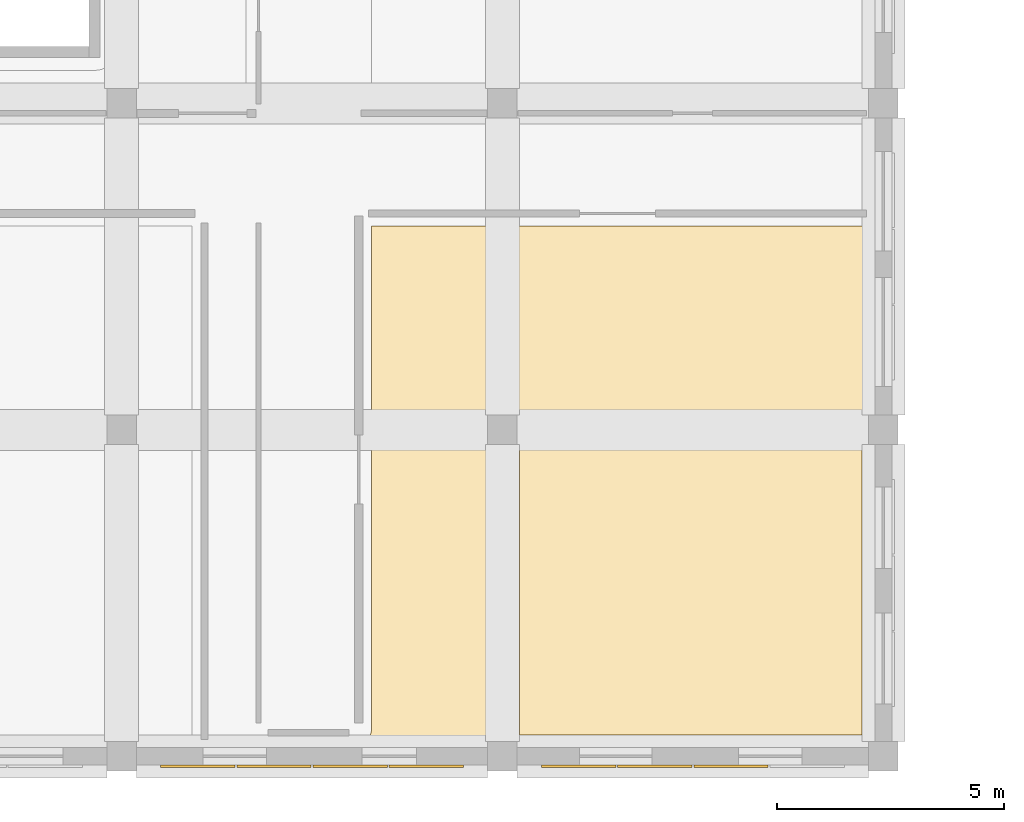
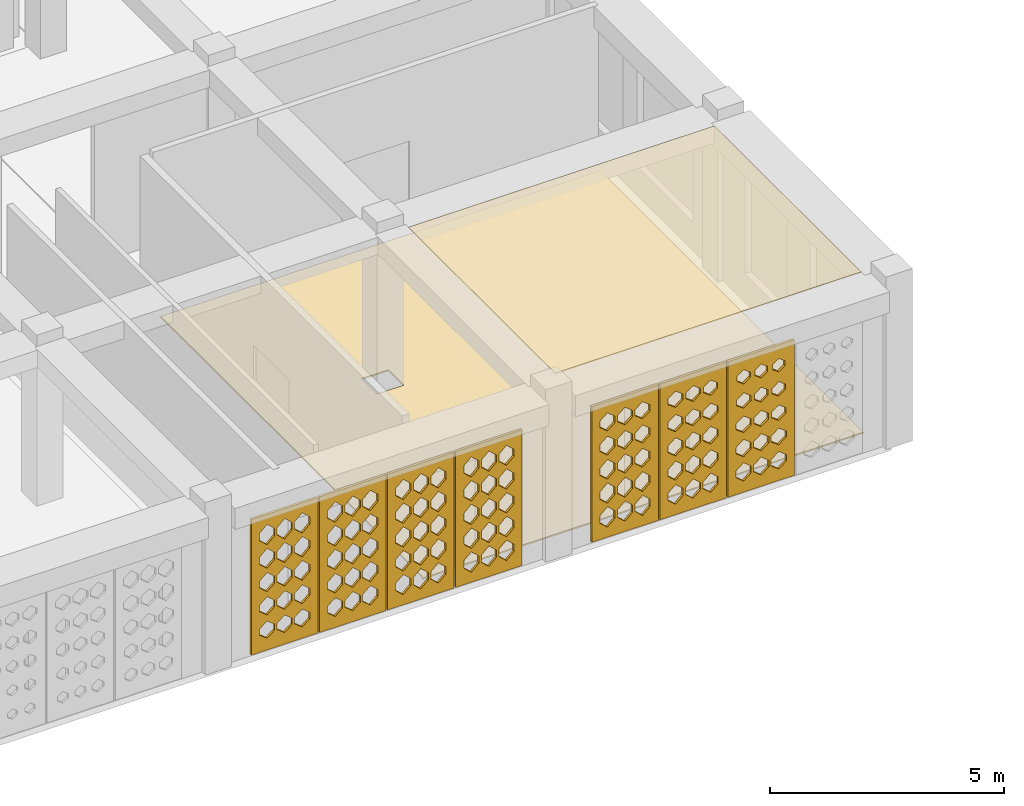
# One storey, part 22 of 47: 9 coverings.
"""IFC4 building model written with IfcOpenShell, lengths in metres."""

from ifc_helpers import new_model, si_unit, derived_unit, direction, frame, origin, place, context, subcontext, project, spatial, polyline, outline, extrude, material, layer, layer_set, type_object, element, save


model = new_model("IFC4")

# Units and contexts
model_context = context("Model", 3, precision=1e-05, world=origin(), true_north=direction((0.0, 1.0)))
body_context = subcontext(model_context, "Body", "Model", "MODEL_VIEW")
ifc_project = project(units=[si_unit("LENGTHUNIT", "METRE"), si_unit("AREAUNIT", "SQUARE_METRE"), si_unit("VOLUMEUNIT", "CUBIC_METRE"), si_unit("PLANEANGLEUNIT", "RADIAN"), si_unit("MASSUNIT", "GRAM", prefix="KILO"), derived_unit("THERMALTRANSMITTANCEUNIT", [(si_unit("POWERUNIT", "WATT"), 1), (si_unit("LENGTHUNIT", "METRE"), -2), (si_unit("THERMODYNAMICTEMPERATUREUNIT", "KELVIN"), -1)])], contexts=[model_context])

# Site, building, storey
site_placement = place(None, origin())
site = spatial("IfcSite", under=ifc_project, at=site_placement, CompositionType="ELEMENT")
building_placement = place(site_placement, origin())
building = spatial("IfcBuilding", under=site, at=building_placement, Name="Veybourne Emporium", CompositionType="ELEMENT")
storey_placement = place(building_placement, frame((0.0, 0.0, 23.39990234375)))
storey = spatial("IfcBuildingStorey", under=building, at=storey_placement, Name="L05", CompositionType="ELEMENT", Elevation=23.39990234375)

# Coverings
ifc_material_1 = material(Name="Mineral Acoustic Ceiling", Category="gypsum")
ifc_layer_1 = layer(ifc_material_1, 0.02490234375)
ifc_layer_set_1 = layer_set([ifc_layer_1], Name="Mineral Acoustic Ceiling")
covering_type_1 = type_object("IfcCoveringType", Name="Ceiling_CLG-01", PredefinedType="CEILING", material=ifc_layer_set_1)
covering_1_placement = place(storey_placement, frame((0.0, 0.0, 4.18505859375)))
element("IfcCovering", 1, at=covering_1_placement, inside=storey, type_object=covering_type_1, Name="L05 coffered acoustic ceiling 02", PredefinedType="CEILING", context=body_context, shape_type="SweptSolid", body=[
    extrude(outline(polyline([(42.373046875, 6.751953125), (49.927001953125, 6.751953125), (49.927001953125, 0.472900390625), (42.373046875, 0.472900390625), (42.373046875, 6.751953125)])), origin(), (0.0, 0.0, 1.0), 0.025146484375),
])
ifc_material_2 = material(Name="European Oak Parquet", Category="wood")
ifc_layer_2 = layer(ifc_material_2, 0.034912109375)
ifc_layer_set_2 = layer_set([ifc_layer_2], Name="European Oak Parquet")
covering_type_2 = type_object("IfcCoveringType", Name="Flooring_FLR-02", PredefinedType="FLOORING", material=ifc_layer_set_2)
covering_2_placement = place(storey_placement, origin())
element("IfcCovering", 2, at=covering_2_placement, inside=storey, type_object=covering_type_2, Name="L05 floor finish 02", PredefinedType="FLOORING", context=body_context, shape_type="SweptSolid", body=[
    extrude(outline(polyline([(39.07861328125, 0.453369140625), (39.086181640625, 0.471435546875), (39.09130859375, 0.486083984375), (39.09716796875, 0.5048828125), (39.100830078125, 0.520263671875), (39.104736328125, 0.53955078125), (39.107177734375, 0.554931640625), (39.10888671875, 0.574462890625), (39.10986328125, 0.590087890625), (39.110107421875, 0.60009765625), (39.110107421875, 11.68994140625), (49.9599609375, 11.68994140625), (49.9599609375, 0.43994140625), (39.072265625, 0.43994140625), (39.07861328125, 0.453369140625)]), holes=[polyline([(41.669921875, 7.530029296875), (41.669921875, 6.8701171875), (42.330078125, 6.8701171875), (42.330078125, 7.530029296875), (41.669921875, 7.530029296875)])]), origin(), (0.0, 0.0, 1.0), 0.03515625),
])
ifc_material_3 = material(Name="Warm-White Perforated Aluminium Screen Alloy", Category="aluminium")
ifc_layer_3 = layer(ifc_material_3, 0.06005859375)
ifc_layer_set_3 = layer_set([ifc_layer_3], Name="Warm-White Perforated Aluminium Screen Alloy")
covering_type_3 = type_object("IfcCoveringType", Name="WaveScreen_SCR-01", PredefinedType="CLADDING", material=ifc_layer_set_3)
covering_3_placement = place(storey_placement, frame((36.9599609375, -0.248046875, 1.830078125), z_axis=(0.0, 1.0, 0.0), x_axis=(-1.0, 0.0, 0.0)))
element("IfcCovering", 3, at=covering_3_placement, inside=storey, type_object=covering_type_3, Name="L05 wave-perforated aluminium screen SCR-01 (20.3)", PredefinedType="CLADDING", context=body_context, shape_type="SweptSolid", body=[
    extrude(outline(polyline([(-0.81982421875, -1.77001953125), (0.81982421875, -1.77001953125), (0.81982421875, 1.77001953125), (-0.81982421875, 1.77001953125), (-0.81982421875, -1.77001953125)]), holes=[polyline([(-0.433349609375, -0.98583984375), (-0.2470703125, -1.1484375), (-0.2470703125, -1.33154296875), (-0.433349609375, -1.494140625), (-0.61962890625, -1.33154296875), (-0.61962890625, -1.1484375), (-0.433349609375, -0.98583984375)]), polyline([(-0.433349609375, -0.357421875), (-0.2470703125, -0.525390625), (-0.2470703125, -0.714599609375), (-0.433349609375, -0.882568359375), (-0.61962890625, -0.714599609375), (-0.61962890625, -0.525390625), (-0.433349609375, -0.357421875)]), polyline([(-0.433349609375, 0.2666015625), (-0.2470703125, 0.095947265625), (-0.2470703125, -0.095947265625), (-0.433349609375, -0.2666015625), (-0.61962890625, -0.095947265625), (-0.61962890625, 0.095947265625), (-0.433349609375, 0.2666015625)]), polyline([(-0.433349609375, 0.88671875), (-0.2470703125, 0.716064453125), (-0.2470703125, 0.52392578125), (-0.433349609375, 0.353515625), (-0.61962890625, 0.52392578125), (-0.61962890625, 0.716064453125), (-0.433349609375, 0.88671875)]), polyline([(-0.433349609375, 1.506591796875), (-0.2470703125, 1.3359375), (-0.2470703125, 1.14404296875), (-0.433349609375, 0.973388671875), (-0.61962890625, 1.14404296875), (-0.61962890625, 1.3359375), (-0.433349609375, 1.506591796875)]), polyline([(0.0, -0.990478515625), (0.186279296875, -1.150146484375), (0.186279296875, -1.329833984375), (0.0, -1.489501953125), (-0.186279296875, -1.329833984375), (-0.186279296875, -1.150146484375), (0.0, -0.990478515625)]), polyline([(0.0, -0.361083984375), (0.186279296875, -0.52685546875), (0.186279296875, -0.713134765625), (0.0, -0.87890625), (-0.186279296875, -0.713134765625), (-0.186279296875, -0.52685546875), (0.0, -0.361083984375)]), polyline([(0.0, 0.2666015625), (0.186279296875, 0.095947265625), (0.186279296875, -0.095947265625), (0.0, -0.2666015625), (-0.186279296875, -0.095947265625), (-0.186279296875, 0.095947265625), (0.0, 0.2666015625)]), polyline([(0.0, 0.88671875), (0.186279296875, 0.716064453125), (0.186279296875, 0.52392578125), (0.0, 0.353515625), (-0.186279296875, 0.52392578125), (-0.186279296875, 0.716064453125), (0.0, 0.88671875)]), polyline([(0.0, 1.506591796875), (0.186279296875, 1.3359375), (0.186279296875, 1.14404296875), (0.0, 0.973388671875), (-0.186279296875, 1.14404296875), (-0.186279296875, 1.3359375), (0.0, 1.506591796875)]), polyline([(0.433349609375, -0.9951171875), (0.61962890625, -1.15185546875), (0.61962890625, -1.328125), (0.433349609375, -1.48486328125), (0.2470703125, -1.328125), (0.2470703125, -1.15185546875), (0.433349609375, -0.9951171875)]), polyline([(0.433349609375, -0.364990234375), (0.61962890625, -0.5283203125), (0.61962890625, -0.7119140625), (0.433349609375, -0.875), (0.2470703125, -0.7119140625), (0.2470703125, -0.5283203125), (0.433349609375, -0.364990234375)]), polyline([(0.433349609375, 0.263427734375), (0.61962890625, 0.0947265625), (0.61962890625, -0.0947265625), (0.433349609375, -0.263427734375), (0.2470703125, -0.0947265625), (0.2470703125, 0.0947265625), (0.433349609375, 0.263427734375)]), polyline([(0.433349609375, 0.88671875), (0.61962890625, 0.716064453125), (0.61962890625, 0.52392578125), (0.433349609375, 0.353515625), (0.2470703125, 0.52392578125), (0.2470703125, 0.716064453125), (0.433349609375, 0.88671875)]), polyline([(0.433349609375, 1.506591796875), (0.61962890625, 1.3359375), (0.61962890625, 1.14404296875), (0.433349609375, 0.973388671875), (0.2470703125, 1.14404296875), (0.2470703125, 1.3359375), (0.433349609375, 1.506591796875)])]), origin(), (0.0, 0.0, 1.0), 0.06005859375),
])
ifc_layer_4 = layer(ifc_material_3, 0.06005859375)
ifc_layer_set_4 = layer_set([ifc_layer_4], Name="Warm-White Perforated Aluminium Screen Alloy")
covering_type_4 = type_object("IfcCoveringType", Name="WaveScreen_SCR-02", PredefinedType="CLADDING", material=ifc_layer_set_4)
covering_4_placement = place(storey_placement, frame((35.280029296875, -0.248046875, 1.830078125), z_axis=(0.0, 1.0, 0.0), x_axis=(-1.0, 0.0, 0.0)))
element("IfcCovering", 4, at=covering_4_placement, inside=storey, type_object=covering_type_4, Name="L05 wave-perforated aluminium screen SCR-02 (20.4)", PredefinedType="CLADDING", context=body_context, shape_type="SweptSolid", body=[
    extrude(outline(polyline([(-0.81982421875, -1.77001953125), (0.81982421875, -1.77001953125), (0.81982421875, 1.77001953125), (-0.81982421875, 1.77001953125), (-0.81982421875, -1.77001953125)]), holes=[polyline([(-0.433349609375, -1.005126953125), (-0.2470703125, -1.155517578125), (-0.2470703125, -1.32470703125), (-0.433349609375, -1.474853515625), (-0.61962890625, -1.32470703125), (-0.61962890625, -1.155517578125), (-0.433349609375, -1.005126953125)]), polyline([(-0.433349609375, -0.37353515625), (-0.2470703125, -0.53125), (-0.2470703125, -0.708740234375), (-0.433349609375, -0.866455078125), (-0.61962890625, -0.708740234375), (-0.61962890625, -0.53125), (-0.433349609375, -0.37353515625)]), polyline([(-0.433349609375, 0.256591796875), (-0.2470703125, 0.09228515625), (-0.2470703125, -0.09228515625), (-0.433349609375, -0.256591796875), (-0.61962890625, -0.09228515625), (-0.61962890625, 0.09228515625), (-0.433349609375, 0.256591796875)]), polyline([(-0.433349609375, 0.884521484375), (-0.2470703125, 0.715087890625), (-0.2470703125, 0.52490234375), (-0.433349609375, 0.35546875), (-0.61962890625, 0.52490234375), (-0.61962890625, 0.715087890625), (-0.433349609375, 0.884521484375)]), polyline([(-0.433349609375, 1.506591796875), (-0.2470703125, 1.3359375), (-0.2470703125, 1.14404296875), (-0.433349609375, 0.973388671875), (-0.61962890625, 1.14404296875), (-0.61962890625, 1.3359375), (-0.433349609375, 1.506591796875)]), polyline([(0.0, -1.0107421875), (0.186279296875, -1.157470703125), (0.186279296875, -1.322509765625), (0.0, -1.46923828125), (-0.186279296875, -1.322509765625), (-0.186279296875, -1.157470703125), (0.0, -1.0107421875)]), polyline([(0.0, -0.37841796875), (0.186279296875, -0.533203125), (0.186279296875, -0.706787109375), (0.0, -0.861572265625), (-0.186279296875, -0.706787109375), (-0.186279296875, -0.533203125), (0.0, -0.37841796875)]), polyline([(0.0, 0.252197265625), (0.186279296875, 0.0908203125), (0.186279296875, -0.0908203125), (0.0, -0.252197265625), (-0.186279296875, -0.0908203125), (-0.186279296875, 0.0908203125), (0.0, 0.252197265625)]), polyline([(0.0, 0.881103515625), (0.186279296875, 0.714111328125), (0.186279296875, 0.52587890625), (0.0, 0.35888671875), (-0.186279296875, 0.52587890625), (-0.186279296875, 0.714111328125), (0.0, 0.881103515625)]), polyline([(0.0, 1.506591796875), (0.186279296875, 1.3359375), (0.186279296875, 1.14404296875), (0.0, 0.973388671875), (-0.186279296875, 1.14404296875), (-0.186279296875, 1.3359375), (0.0, 1.506591796875)]), polyline([(0.433349609375, -1.0166015625), (0.61962890625, -1.15966796875), (0.61962890625, -1.3203125), (0.433349609375, -1.46337890625), (0.2470703125, -1.3203125), (0.2470703125, -1.15966796875), (0.433349609375, -1.0166015625)]), polyline([(0.433349609375, -0.3837890625), (0.61962890625, -0.534912109375), (0.61962890625, -0.705078125), (0.433349609375, -0.856201171875), (0.2470703125, -0.705078125), (0.2470703125, -0.534912109375), (0.433349609375, -0.3837890625)]), polyline([(0.433349609375, 0.24755859375), (0.61962890625, 0.089111328125), (0.61962890625, -0.089111328125), (0.433349609375, -0.24755859375), (0.2470703125, -0.089111328125), (0.2470703125, 0.089111328125), (0.433349609375, 0.24755859375)]), polyline([(0.433349609375, 0.87744140625), (0.61962890625, 0.712646484375), (0.61962890625, 0.52734375), (0.433349609375, 0.362548828125), (0.2470703125, 0.52734375), (0.2470703125, 0.712646484375), (0.433349609375, 0.87744140625)]), polyline([(0.433349609375, 1.505126953125), (0.61962890625, 1.33544921875), (0.61962890625, 1.14453125), (0.433349609375, 0.974853515625), (0.2470703125, 1.14453125), (0.2470703125, 1.33544921875), (0.433349609375, 1.505126953125)])]), origin(), (0.0, 0.0, 1.0), 0.06005859375),
])
covering_5_placement = place(storey_placement, frame((47.0400390625, -0.248046875, 1.830078125), z_axis=(0.0, 1.0, 0.0), x_axis=(-1.0, 0.0, 0.0)))
element("IfcCovering", 5, at=covering_5_placement, inside=storey, type_object=covering_type_4, Name="L05 wave-perforated aluminium screen SCR-02 (26.2)", PredefinedType="CLADDING", context=body_context, shape_type="SweptSolid", body=[
    extrude(outline(polyline([(-0.81982421875, -1.77001953125), (0.81982421875, -1.77001953125), (0.81982421875, 1.77001953125), (-0.81982421875, 1.77001953125), (-0.81982421875, -1.77001953125)]), holes=[polyline([(-0.433349609375, -1.009033203125), (-0.2470703125, -1.156982421875), (-0.2470703125, -1.322998046875), (-0.433349609375, -1.470947265625), (-0.61962890625, -1.322998046875), (-0.61962890625, -1.156982421875), (-0.433349609375, -1.009033203125)]), polyline([(-0.433349609375, -0.402099609375), (-0.2470703125, -0.54150390625), (-0.2470703125, -0.698486328125), (-0.433349609375, -0.837890625), (-0.61962890625, -0.698486328125), (-0.61962890625, -0.54150390625), (-0.433349609375, -0.402099609375)]), polyline([(-0.433349609375, 0.203857421875), (-0.256591796875, 0.073486328125), (-0.256591796875, -0.073486328125), (-0.433349609375, -0.203857421875), (-0.610107421875, -0.073486328125), (-0.610107421875, 0.073486328125), (-0.433349609375, 0.203857421875)]), polyline([(-0.433349609375, 0.8095703125), (-0.268310546875, 0.688232421875), (-0.268310546875, 0.5517578125), (-0.433349609375, 0.430419921875), (-0.598388671875, 0.5517578125), (-0.598388671875, 0.688232421875), (-0.433349609375, 0.8095703125)]), polyline([(-0.433349609375, 1.415283203125), (-0.27978515625, 1.302978515625), (-0.27978515625, 1.177001953125), (-0.433349609375, 1.064697265625), (-0.5869140625, 1.177001953125), (-0.5869140625, 1.302978515625), (-0.433349609375, 1.415283203125)]), polyline([(0.0, -1.00341796875), (0.186279296875, -1.15478515625), (0.186279296875, -1.3251953125), (0.0, -1.4765625), (-0.186279296875, -1.3251953125), (-0.186279296875, -1.15478515625), (0.0, -1.00341796875)]), polyline([(0.0, -0.396240234375), (0.186279296875, -0.539306640625), (0.186279296875, -0.70068359375), (0.0, -0.84375), (-0.186279296875, -0.70068359375), (-0.186279296875, -0.539306640625), (0.0, -0.396240234375)]), polyline([(0.0, 0.210205078125), (0.181884765625, 0.07568359375), (0.181884765625, -0.07568359375), (0.0, -0.210205078125), (-0.181884765625, -0.07568359375), (-0.181884765625, 0.07568359375), (0.0, 0.210205078125)]), polyline([(0.0, 0.81591796875), (0.17041015625, 0.6904296875), (0.17041015625, 0.549560546875), (0.0, 0.424072265625), (-0.17041015625, 0.549560546875), (-0.17041015625, 0.6904296875), (0.0, 0.81591796875)]), polyline([(0.0, 1.421630859375), (0.15869140625, 1.305419921875), (0.15869140625, 1.174560546875), (0.0, 1.058349609375), (-0.15869140625, 1.174560546875), (-0.15869140625, 1.305419921875), (0.0, 1.421630859375)]), polyline([(0.433349609375, -0.998291015625), (0.61962890625, -1.15283203125), (0.61962890625, -1.3271484375), (0.433349609375, -1.481689453125), (0.2470703125, -1.3271484375), (0.2470703125, -1.15283203125), (0.433349609375, -0.998291015625)]), polyline([(0.433349609375, -0.390380859375), (0.61962890625, -0.537353515625), (0.61962890625, -0.70263671875), (0.433349609375, -0.849609375), (0.2470703125, -0.70263671875), (0.2470703125, -0.537353515625), (0.433349609375, -0.390380859375)]), polyline([(0.433349609375, 0.21630859375), (0.61962890625, 0.077880859375), (0.61962890625, -0.077880859375), (0.433349609375, -0.21630859375), (0.2470703125, -0.077880859375), (0.2470703125, 0.077880859375), (0.433349609375, 0.21630859375)]), polyline([(0.433349609375, 0.822509765625), (0.60888671875, 0.69287109375), (0.60888671875, 0.547119140625), (0.433349609375, 0.41748046875), (0.2578125, 0.547119140625), (0.2578125, 0.69287109375), (0.433349609375, 0.822509765625)]), polyline([(0.433349609375, 1.427978515625), (0.59716796875, 1.3076171875), (0.59716796875, 1.17236328125), (0.433349609375, 1.052001953125), (0.269287109375, 1.17236328125), (0.269287109375, 1.3076171875), (0.433349609375, 1.427978515625)])]), origin(), (0.0, 0.0, 1.0), 0.06005859375),
])
ifc_layer_5 = layer(ifc_material_3, 0.06005859375)
ifc_layer_set_5 = layer_set([ifc_layer_5], Name="Warm-White Perforated Aluminium Screen Alloy")
covering_type_5 = type_object("IfcCoveringType", Name="WaveScreen_SCR-03", PredefinedType="CLADDING", material=ifc_layer_set_5)
covering_6_placement = place(storey_placement, frame((40.320068359375, -0.248046875, 1.830078125), z_axis=(0.0, 1.0, 0.0), x_axis=(-1.0, 0.0, 0.0)))
element("IfcCovering", 6, at=covering_6_placement, inside=storey, type_object=covering_type_5, Name="L05 wave-perforated aluminium screen SCR-03 (20.1)", PredefinedType="CLADDING", context=body_context, shape_type="SweptSolid", body=[
    extrude(outline(polyline([(-0.81982421875, -1.77001953125), (0.81982421875, -1.77001953125), (0.81982421875, 1.77001953125), (-0.81982421875, 1.77001953125), (-0.81982421875, -1.77001953125)]), holes=[polyline([(-0.433349609375, -0.973388671875), (-0.2470703125, -1.14404296875), (-0.2470703125, -1.3359375), (-0.433349609375, -1.506591796875), (-0.61962890625, -1.3359375), (-0.61962890625, -1.14404296875), (-0.433349609375, -0.973388671875)]), polyline([(-0.433349609375, -0.353515625), (-0.2470703125, -0.52392578125), (-0.2470703125, -0.716064453125), (-0.433349609375, -0.88671875), (-0.61962890625, -0.716064453125), (-0.61962890625, -0.52392578125), (-0.433349609375, -0.353515625)]), polyline([(-0.433349609375, 0.2666015625), (-0.2470703125, 0.095947265625), (-0.2470703125, -0.095947265625), (-0.433349609375, -0.2666015625), (-0.61962890625, -0.095947265625), (-0.61962890625, 0.095947265625), (-0.433349609375, 0.2666015625)]), polyline([(-0.433349609375, 0.88671875), (-0.2470703125, 0.716064453125), (-0.2470703125, 0.52392578125), (-0.433349609375, 0.353515625), (-0.61962890625, 0.52392578125), (-0.61962890625, 0.716064453125), (-0.433349609375, 0.88671875)]), polyline([(-0.433349609375, 1.501953125), (-0.2470703125, 1.334228515625), (-0.2470703125, 1.145751953125), (-0.433349609375, 0.97802734375), (-0.61962890625, 1.145751953125), (-0.61962890625, 1.334228515625), (-0.433349609375, 1.501953125)]), polyline([(0.0, -0.973388671875), (0.186279296875, -1.14404296875), (0.186279296875, -1.3359375), (0.0, -1.506591796875), (-0.186279296875, -1.3359375), (-0.186279296875, -1.14404296875), (0.0, -0.973388671875)]), polyline([(0.0, -0.353515625), (0.186279296875, -0.52392578125), (0.186279296875, -0.716064453125), (0.0, -0.88671875), (-0.186279296875, -0.716064453125), (-0.186279296875, -0.52392578125), (0.0, -0.353515625)]), polyline([(0.0, 0.2666015625), (0.186279296875, 0.095947265625), (0.186279296875, -0.095947265625), (0.0, -0.2666015625), (-0.186279296875, -0.095947265625), (-0.186279296875, 0.095947265625), (0.0, 0.2666015625)]), polyline([(0.0, 0.88671875), (0.186279296875, 0.716064453125), (0.186279296875, 0.52392578125), (0.0, 0.353515625), (-0.186279296875, 0.52392578125), (-0.186279296875, 0.716064453125), (0.0, 0.88671875)]), polyline([(0.0, 1.505126953125), (0.186279296875, 1.33544921875), (0.186279296875, 1.14453125), (0.0, 0.974853515625), (-0.186279296875, 1.14453125), (-0.186279296875, 1.33544921875), (0.0, 1.505126953125)]), polyline([(0.433349609375, -0.973388671875), (0.61962890625, -1.14404296875), (0.61962890625, -1.3359375), (0.433349609375, -1.506591796875), (0.2470703125, -1.3359375), (0.2470703125, -1.14404296875), (0.433349609375, -0.973388671875)]), polyline([(0.433349609375, -0.353515625), (0.61962890625, -0.52392578125), (0.61962890625, -0.716064453125), (0.433349609375, -0.88671875), (0.2470703125, -0.716064453125), (0.2470703125, -0.52392578125), (0.433349609375, -0.353515625)]), polyline([(0.433349609375, 0.2666015625), (0.61962890625, 0.095947265625), (0.61962890625, -0.095947265625), (0.433349609375, -0.2666015625), (0.2470703125, -0.095947265625), (0.2470703125, 0.095947265625), (0.433349609375, 0.2666015625)]), polyline([(0.433349609375, 0.88671875), (0.61962890625, 0.716064453125), (0.61962890625, 0.52392578125), (0.433349609375, 0.353515625), (0.2470703125, 0.52392578125), (0.2470703125, 0.716064453125), (0.433349609375, 0.88671875)]), polyline([(0.433349609375, 1.506591796875), (0.61962890625, 1.3359375), (0.61962890625, 1.14404296875), (0.433349609375, 0.973388671875), (0.2470703125, 1.14404296875), (0.2470703125, 1.3359375), (0.433349609375, 1.506591796875)])]), origin(), (0.0, 0.0, 1.0), 0.06005859375),
])
covering_7_placement = place(storey_placement, frame((45.360107421875, -0.248046875, 1.830078125), z_axis=(0.0, 1.0, 0.0), x_axis=(-1.0, 0.0, 0.0)))
element("IfcCovering", 7, at=covering_7_placement, inside=storey, type_object=covering_type_5, Name="L05 wave-perforated aluminium screen SCR-03 (26.3)", PredefinedType="CLADDING", context=body_context, shape_type="SweptSolid", body=[
    extrude(outline(polyline([(-0.81982421875, -1.77001953125), (0.81982421875, -1.77001953125), (0.81982421875, 1.77001953125), (-0.81982421875, 1.77001953125), (-0.81982421875, -1.77001953125)]), holes=[polyline([(-0.433349609375, -0.989013671875), (-0.2470703125, -1.149658203125), (-0.2470703125, -1.330322265625), (-0.433349609375, -1.490966796875), (-0.61962890625, -1.330322265625), (-0.61962890625, -1.149658203125), (-0.433349609375, -0.989013671875)]), polyline([(-0.433349609375, -0.3798828125), (-0.2470703125, -0.53369140625), (-0.2470703125, -0.706298828125), (-0.433349609375, -0.860107421875), (-0.61962890625, -0.706298828125), (-0.61962890625, -0.53369140625), (-0.433349609375, -0.3798828125)]), polyline([(-0.433349609375, 0.2275390625), (-0.2470703125, 0.08203125), (-0.2470703125, -0.08203125), (-0.433349609375, -0.2275390625), (-0.61962890625, -0.08203125), (-0.61962890625, 0.08203125), (-0.433349609375, 0.2275390625)]), polyline([(-0.433349609375, 0.834228515625), (-0.248046875, 0.697021484375), (-0.248046875, 0.54296875), (-0.433349609375, 0.40576171875), (-0.61865234375, 0.54296875), (-0.61865234375, 0.697021484375), (-0.433349609375, 0.834228515625)]), polyline([(-0.433349609375, 1.440185546875), (-0.259521484375, 1.31201171875), (-0.259521484375, 1.16796875), (-0.433349609375, 1.039794921875), (-0.607177734375, 1.16796875), (-0.607177734375, 1.31201171875), (-0.433349609375, 1.440185546875)]), polyline([(0.0, -0.984619140625), (0.186279296875, -1.148193359375), (0.186279296875, -1.331787109375), (0.0, -1.495361328125), (-0.186279296875, -1.331787109375), (-0.186279296875, -1.148193359375), (0.0, -0.984619140625)]), polyline([(0.0, -0.375), (0.186279296875, -0.53173828125), (0.186279296875, -0.708251953125), (0.0, -0.864990234375), (-0.186279296875, -0.708251953125), (-0.186279296875, -0.53173828125), (0.0, -0.375)]), polyline([(0.0, 0.2333984375), (0.186279296875, 0.083984375), (0.186279296875, -0.083984375), (0.0, -0.2333984375), (-0.186279296875, -0.083984375), (-0.186279296875, 0.083984375), (0.0, 0.2333984375)]), polyline([(0.0, 0.84033203125), (0.186279296875, 0.69921875), (0.186279296875, 0.540771484375), (0.0, 0.399658203125), (-0.186279296875, 0.540771484375), (-0.186279296875, 0.69921875), (0.0, 0.84033203125)]), polyline([(0.0, 1.446533203125), (0.178955078125, 1.314208984375), (0.178955078125, 1.165771484375), (0.0, 1.033447265625), (-0.178955078125, 1.165771484375), (-0.178955078125, 1.314208984375), (0.0, 1.446533203125)]), polyline([(0.433349609375, -0.980712890625), (0.61962890625, -1.146728515625), (0.61962890625, -1.333251953125), (0.433349609375, -1.499267578125), (0.2470703125, -1.333251953125), (0.2470703125, -1.146728515625), (0.433349609375, -0.980712890625)]), polyline([(0.433349609375, -0.3701171875), (0.61962890625, -0.530029296875), (0.61962890625, -0.7099609375), (0.433349609375, -0.869873046875), (0.2470703125, -0.7099609375), (0.2470703125, -0.530029296875), (0.433349609375, -0.3701171875)]), polyline([(0.433349609375, 0.23876953125), (0.61962890625, 0.0859375), (0.61962890625, -0.0859375), (0.433349609375, -0.23876953125), (0.2470703125, -0.0859375), (0.2470703125, 0.0859375), (0.433349609375, 0.23876953125)]), polyline([(0.433349609375, 0.84619140625), (0.61962890625, 0.701416015625), (0.61962890625, 0.53857421875), (0.433349609375, 0.393798828125), (0.2470703125, 0.53857421875), (0.2470703125, 0.701416015625), (0.433349609375, 0.84619140625)]), polyline([(0.433349609375, 1.452880859375), (0.617431640625, 1.316650390625), (0.617431640625, 1.163330078125), (0.433349609375, 1.027099609375), (0.249267578125, 1.163330078125), (0.249267578125, 1.316650390625), (0.433349609375, 1.452880859375)])]), origin(), (0.0, 0.0, 1.0), 0.06005859375),
])
ifc_layer_6 = layer(ifc_material_3, 0.06005859375)
ifc_layer_set_6 = layer_set([ifc_layer_6], Name="Warm-White Perforated Aluminium Screen Alloy")
covering_type_6 = type_object("IfcCoveringType", Name="WaveScreen_SCR-04", PredefinedType="CLADDING", material=ifc_layer_set_6)
covering_8_placement = place(storey_placement, frame((38.639892578125, -0.248046875, 1.830078125), z_axis=(0.0, 1.0, 0.0), x_axis=(-1.0, 0.0, 0.0)))
element("IfcCovering", 8, at=covering_8_placement, inside=storey, type_object=covering_type_6, Name="L05 wave-perforated aluminium screen SCR-04 (20.2)", PredefinedType="CLADDING", context=body_context, shape_type="SweptSolid", body=[
    extrude(outline(polyline([(-0.81982421875, -1.77001953125), (0.81982421875, -1.77001953125), (0.81982421875, 1.77001953125), (-0.81982421875, 1.77001953125), (-0.81982421875, -1.77001953125)]), holes=[polyline([(-0.433349609375, -0.973388671875), (-0.2470703125, -1.14404296875), (-0.2470703125, -1.3359375), (-0.433349609375, -1.506591796875), (-0.61962890625, -1.3359375), (-0.61962890625, -1.14404296875), (-0.433349609375, -0.973388671875)]), polyline([(-0.433349609375, -0.353515625), (-0.2470703125, -0.52392578125), (-0.2470703125, -0.716064453125), (-0.433349609375, -0.88671875), (-0.61962890625, -0.716064453125), (-0.61962890625, -0.52392578125), (-0.433349609375, -0.353515625)]), polyline([(-0.433349609375, 0.2666015625), (-0.2470703125, 0.095947265625), (-0.2470703125, -0.095947265625), (-0.433349609375, -0.2666015625), (-0.61962890625, -0.095947265625), (-0.61962890625, 0.095947265625), (-0.433349609375, 0.2666015625)]), polyline([(-0.433349609375, 0.88671875), (-0.2470703125, 0.716064453125), (-0.2470703125, 0.52392578125), (-0.433349609375, 0.353515625), (-0.61962890625, 0.52392578125), (-0.61962890625, 0.716064453125), (-0.433349609375, 0.88671875)]), polyline([(-0.433349609375, 1.506591796875), (-0.2470703125, 1.3359375), (-0.2470703125, 1.14404296875), (-0.433349609375, 0.973388671875), (-0.61962890625, 1.14404296875), (-0.61962890625, 1.3359375), (-0.433349609375, 1.506591796875)]), polyline([(0.0, -0.975341796875), (0.186279296875, -1.144775390625), (0.186279296875, -1.335205078125), (0.0, -1.504638671875), (-0.186279296875, -1.335205078125), (-0.186279296875, -1.144775390625), (0.0, -0.975341796875)]), polyline([(0.0, -0.353515625), (0.186279296875, -0.52392578125), (0.186279296875, -0.716064453125), (0.0, -0.88671875), (-0.186279296875, -0.716064453125), (-0.186279296875, -0.52392578125), (0.0, -0.353515625)]), polyline([(0.0, 0.2666015625), (0.186279296875, 0.095947265625), (0.186279296875, -0.095947265625), (0.0, -0.2666015625), (-0.186279296875, -0.095947265625), (-0.186279296875, 0.095947265625), (0.0, 0.2666015625)]), polyline([(0.0, 0.88671875), (0.186279296875, 0.716064453125), (0.186279296875, 0.52392578125), (0.0, 0.353515625), (-0.186279296875, 0.52392578125), (-0.186279296875, 0.716064453125), (0.0, 0.88671875)]), polyline([(0.0, 1.506591796875), (0.186279296875, 1.3359375), (0.186279296875, 1.14404296875), (0.0, 0.973388671875), (-0.186279296875, 1.14404296875), (-0.186279296875, 1.3359375), (0.0, 1.506591796875)]), polyline([(0.433349609375, -0.978515625), (0.61962890625, -1.14599609375), (0.61962890625, -1.333984375), (0.433349609375, -1.50146484375), (0.2470703125, -1.333984375), (0.2470703125, -1.14599609375), (0.433349609375, -0.978515625)]), polyline([(0.433349609375, -0.353515625), (0.61962890625, -0.52392578125), (0.61962890625, -0.716064453125), (0.433349609375, -0.88671875), (0.2470703125, -0.716064453125), (0.2470703125, -0.52392578125), (0.433349609375, -0.353515625)]), polyline([(0.433349609375, 0.2666015625), (0.61962890625, 0.095947265625), (0.61962890625, -0.095947265625), (0.433349609375, -0.2666015625), (0.2470703125, -0.095947265625), (0.2470703125, 0.095947265625), (0.433349609375, 0.2666015625)]), polyline([(0.433349609375, 0.88671875), (0.61962890625, 0.716064453125), (0.61962890625, 0.52392578125), (0.433349609375, 0.353515625), (0.2470703125, 0.52392578125), (0.2470703125, 0.716064453125), (0.433349609375, 0.88671875)]), polyline([(0.433349609375, 1.506591796875), (0.61962890625, 1.3359375), (0.61962890625, 1.14404296875), (0.433349609375, 0.973388671875), (0.2470703125, 1.14404296875), (0.2470703125, 1.3359375), (0.433349609375, 1.506591796875)])]), origin(), (0.0, 0.0, 1.0), 0.06005859375),
])
covering_9_placement = place(storey_placement, frame((43.679931640625, -0.248046875, 1.830078125), z_axis=(0.0, 1.0, 0.0), x_axis=(-1.0, 0.0, 0.0)))
element("IfcCovering", 9, at=covering_9_placement, inside=storey, type_object=covering_type_6, Name="L05 wave-perforated aluminium screen SCR-04 (26.4)", PredefinedType="CLADDING", context=body_context, shape_type="SweptSolid", body=[
    extrude(outline(polyline([(-0.81982421875, -1.77001953125), (0.81982421875, -1.77001953125), (0.81982421875, 1.77001953125), (-0.81982421875, 1.77001953125), (-0.81982421875, -1.77001953125)]), holes=[polyline([(-0.433349609375, -0.974365234375), (-0.2470703125, -1.144287109375), (-0.2470703125, -1.335693359375), (-0.433349609375, -1.505615234375), (-0.61962890625, -1.335693359375), (-0.61962890625, -1.144287109375), (-0.433349609375, -0.974365234375)]), polyline([(-0.433349609375, -0.362060546875), (-0.2470703125, -0.527099609375), (-0.2470703125, -0.712890625), (-0.433349609375, -0.8779296875), (-0.61962890625, -0.712890625), (-0.61962890625, -0.527099609375), (-0.433349609375, -0.362060546875)]), polyline([(-0.433349609375, 0.248291015625), (-0.2470703125, 0.08935546875), (-0.2470703125, -0.08935546875), (-0.433349609375, -0.248291015625), (-0.61962890625, -0.08935546875), (-0.61962890625, 0.08935546875), (-0.433349609375, 0.248291015625)]), polyline([(-0.433349609375, 0.85693359375), (-0.2470703125, 0.705322265625), (-0.2470703125, 0.53466796875), (-0.433349609375, 0.383056640625), (-0.61962890625, 0.53466796875), (-0.61962890625, 0.705322265625), (-0.433349609375, 0.85693359375)]), polyline([(-0.433349609375, 1.46435546875), (-0.2470703125, 1.32080078125), (-0.2470703125, 1.1591796875), (-0.433349609375, 1.015625), (-0.61962890625, 1.1591796875), (-0.61962890625, 1.32080078125), (-0.433349609375, 1.46435546875)]), polyline([(0.0, -0.973388671875), (0.186279296875, -1.14404296875), (0.186279296875, -1.3359375), (0.0, -1.506591796875), (-0.186279296875, -1.3359375), (-0.186279296875, -1.14404296875), (0.0, -0.973388671875)]), polyline([(0.0, -0.3583984375), (0.186279296875, -0.52587890625), (0.186279296875, -0.714111328125), (0.0, -0.881591796875), (-0.186279296875, -0.714111328125), (-0.186279296875, -0.52587890625), (0.0, -0.3583984375)]), polyline([(0.0, 0.252685546875), (0.186279296875, 0.091064453125), (0.186279296875, -0.091064453125), (0.0, -0.252685546875), (-0.186279296875, -0.091064453125), (-0.186279296875, 0.091064453125), (0.0, 0.252685546875)]), polyline([(0.0, 0.8623046875), (0.186279296875, 0.707275390625), (0.186279296875, 0.53271484375), (0.0, 0.377685546875), (-0.186279296875, 0.53271484375), (-0.186279296875, 0.707275390625), (0.0, 0.8623046875)]), polyline([(0.0, 1.47021484375), (0.186279296875, 1.32275390625), (0.186279296875, 1.1572265625), (0.0, 1.010009765625), (-0.186279296875, 1.1572265625), (-0.186279296875, 1.32275390625), (0.0, 1.47021484375)]), polyline([(0.433349609375, -0.973388671875), (0.61962890625, -1.14404296875), (0.61962890625, -1.3359375), (0.433349609375, -1.506591796875), (0.2470703125, -1.3359375), (0.2470703125, -1.14404296875), (0.433349609375, -0.973388671875)]), polyline([(0.433349609375, -0.35498046875), (0.61962890625, -0.524658203125), (0.61962890625, -0.71533203125), (0.433349609375, -0.885009765625), (0.2470703125, -0.71533203125), (0.2470703125, -0.524658203125), (0.433349609375, -0.35498046875)]), polyline([(0.433349609375, 0.257080078125), (0.61962890625, 0.092529296875), (0.61962890625, -0.092529296875), (0.433349609375, -0.257080078125), (0.2470703125, -0.092529296875), (0.2470703125, 0.092529296875), (0.433349609375, 0.257080078125)]), polyline([(0.433349609375, 0.8671875), (0.61962890625, 0.708984375), (0.61962890625, 0.531005859375), (0.433349609375, 0.372802734375), (0.2470703125, 0.531005859375), (0.2470703125, 0.708984375), (0.433349609375, 0.8671875)]), polyline([(0.433349609375, 1.4755859375), (0.61962890625, 1.324951171875), (0.61962890625, 1.155029296875), (0.433349609375, 1.00439453125), (0.2470703125, 1.155029296875), (0.2470703125, 1.324951171875), (0.433349609375, 1.4755859375)])]), origin(), (0.0, 0.0, 1.0), 0.06005859375),
])

save(model, "model.ifc")
